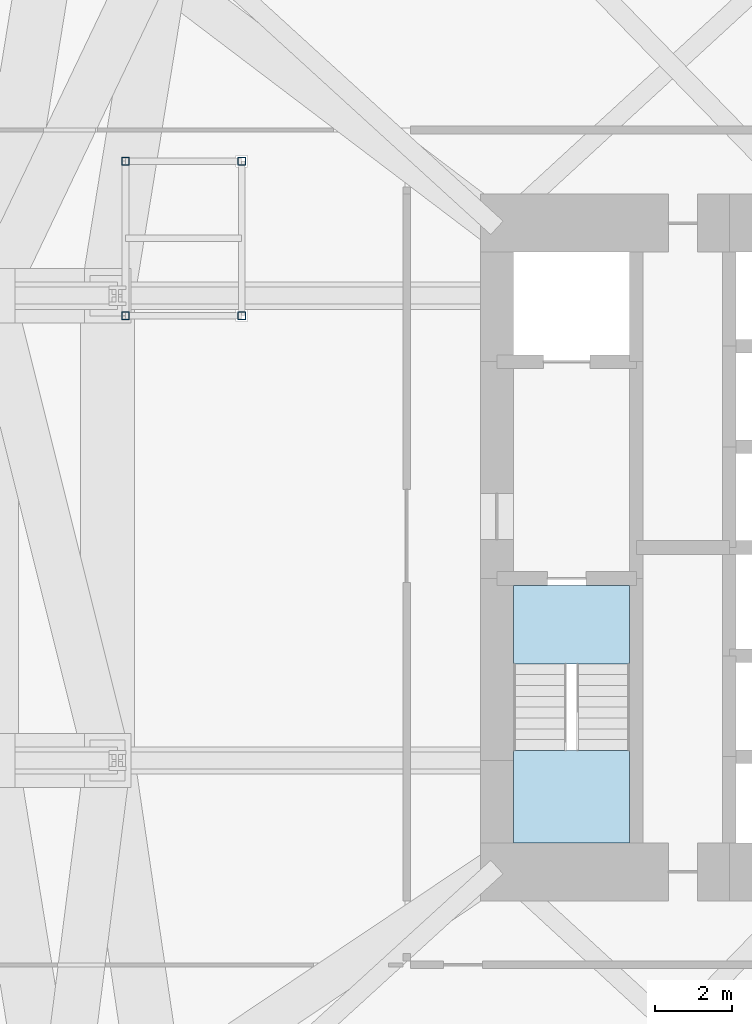
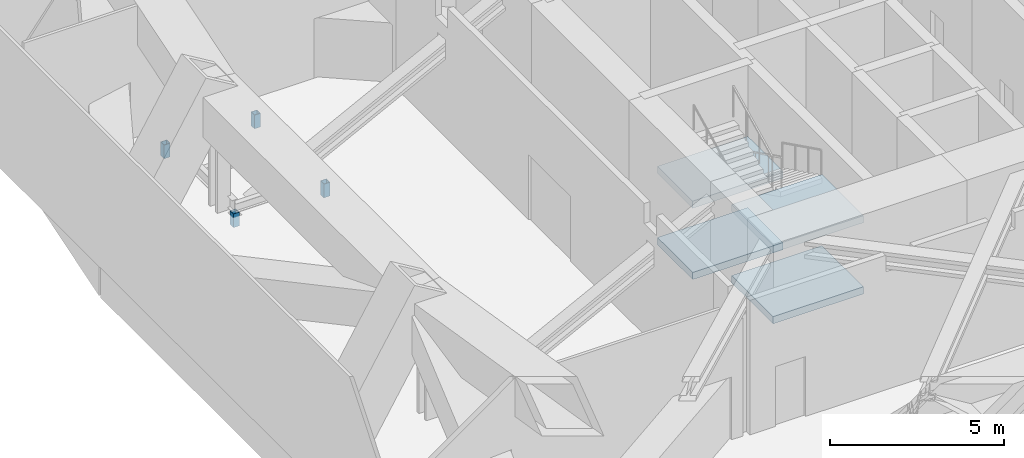
# One storey, part 4 of 11: 4 members, 4 slabs, 1 element without a shape of its own.
"""IFC4 building model written with IfcOpenShell, lengths in metres."""

from ifc_helpers import new_model, si_unit, direction, frame, origin, origin_2d, place, context, subcontext, project, spatial, polyline, hollow_rectangle, outline, extrude, material, layer, layer_set, material_profile, profile_set, type_object, element, aggregate, save


model = new_model("IFC4")

# Units and contexts
model_context = context("Model", 3, precision=1e-05, world=origin(), true_north=direction((0.0, 1.0)))
body_context = subcontext(model_context, "Body", "Model", "MODEL_VIEW")
ifc_project = project(units=[si_unit("LENGTHUNIT", "METRE"), si_unit("AREAUNIT", "SQUARE_METRE"), si_unit("VOLUMEUNIT", "CUBIC_METRE"), si_unit("PLANEANGLEUNIT", "RADIAN"), si_unit("MASSUNIT", "GRAM", prefix="KILO")], contexts=[model_context])

# Site, building, storey
site_placement = place(None, origin())
site = spatial("IfcSite", under=ifc_project, at=site_placement, CompositionType="ELEMENT")
building_placement = place(site_placement, origin())
building = spatial("IfcBuilding", under=site, at=building_placement, Name="Jalousie Tower", CompositionType="ELEMENT")
storey_placement = place(building_placement, frame((0.0, 0.0, 144.35009765625)))
storey = spatial("IfcBuildingStorey", under=building, at=storey_placement, Name="L39", CompositionType="ELEMENT", Elevation=144.35009765625)

# Members
ifc_material_1 = material(Name="Steel ASTM A500 Grade C", Category="steel")
ifc_material_profile = material_profile(ifc_material_1, hollow_rectangle(XDim=0.203125, YDim=0.203125, WallThickness=0.0126953125, at=origin_2d()), Name="HSS8X8X1/2")
ifc_profile_set = profile_set([ifc_material_profile], Name="Steel ASTM A500 Grade C")
member_type = type_object("IfcMemberType", Name="PLANT SUPPORT STOOL HSS8X8X1/2", PredefinedType="POST", material=ifc_profile_set)
for number, where, z_axis, x_axis, name in (
    (1, (10.41259765625, 24.485107421875, -0.280029296875), (0.0, 0.0, 1.0), (1.0, 0.0, 0.0), "Plant support stool Electrical plant room L39"),
    (2, (13.41259765625, 24.485107421875, -0.280029296875), (0.0, 0.0, 1.0), (1.0, 0.0, 0.0), "Plant support stool Electrical plant room L39"),
    (3, (10.41259765625, 28.47509765625, -0.280029296875), (0.0, 0.0, 1.0), (1.0, 0.0, 0.0), "Plant support stool Electrical plant room L39"),
    (4, (13.41259765625, 28.47509765625, -0.280029296875), (0.0, 0.0, 1.0), (1.0, 0.0, 0.0), "Plant support stool Electrical plant room L39"),
):
    element("IfcMember", number, at=place(storey_placement, frame(where, z_axis=z_axis, x_axis=x_axis)), inside=storey, type_object=member_type, Name=name, PredefinedType="POST", context=body_context, shape_type="SweptSolid", body=[
        extrude(hollow_rectangle(XDim=0.203125, YDim=0.203125, WallThickness=0.0126953125, at=origin_2d()), origin(), (0.0, 0.0, 1.0), 0.47998046875),
    ])

# Stair, slabs
ifc_material_2 = material(Name="Concrete f'c 40 MPa", Category="concrete")
stair_type = type_object("IfcStairType", Name="EXIT STAIR", PredefinedType="HALF_TURN_STAIR", material=ifc_material_2)
stair_placement = place(storey_placement, origin())
stair = element("IfcStair", 5, at=stair_placement, inside=storey, type_object=stair_type, Name="Exit stair A L39", PredefinedType="HALF_TURN_STAIR")
ifc_material_3 = material(Name="Concrete f'c 40 MPa", Category="concrete")
ifc_layer = layer(ifc_material_3, 0.25)
ifc_layer_set = layer_set([ifc_layer], Name="Concrete f'c 40 MPa")
slab_type = type_object("IfcSlabType", Name="STAIR LANDING 250", PredefinedType="LANDING", material=ifc_layer_set)
slab_1_placement = place(storey_placement, frame((0.0, 0.0, -0.25)))
slab_1 = element("IfcSlab", 6, at=slab_1_placement, type_object=slab_type, Name="ST-A landing 1", PredefinedType="LANDING", context=body_context, shape_type="SweptSolid", body=[
    extrude(outline(polyline([(20.425048828125, 15.49755859375), (23.425048828125, 15.49755859375), (23.425048828125, 17.52490234375), (20.425048828125, 17.52490234375), (20.425048828125, 15.49755859375)])), origin(), (0.0, 0.0, 1.0), 0.25),
])
slab_2_placement = place(storey_placement, frame((0.0, 0.0, 1.0)))
slab_2 = element("IfcSlab", 7, at=slab_2_placement, type_object=slab_type, Name="ST-A landing 2", PredefinedType="LANDING", context=body_context, shape_type="SweptSolid", body=[
    extrude(outline(polyline([(20.425048828125, 10.875), (23.425048828125, 10.875), (23.425048828125, 13.257568359375), (20.425048828125, 13.257568359375), (20.425048828125, 10.875)])), origin(), (0.0, 0.0, 1.0), 0.25),
])
slab_3_placement = place(storey_placement, frame((0.0, 0.0, 2.25)))
slab_3 = element("IfcSlab", 8, at=slab_3_placement, type_object=slab_type, Name="ST-A landing 3", PredefinedType="LANDING", context=body_context, shape_type="SweptSolid", body=[
    extrude(outline(polyline([(20.425048828125, 15.49755859375), (23.425048828125, 15.49755859375), (23.425048828125, 17.52490234375), (20.425048828125, 17.52490234375), (20.425048828125, 15.49755859375)])), origin(), (0.0, 0.0, 1.0), 0.25),
])
slab_4_placement = place(storey_placement, frame((0.0, 0.0, 3.5)))
slab_4 = element("IfcSlab", 9, at=slab_4_placement, type_object=slab_type, Name="ST-A landing 4", PredefinedType="LANDING", context=body_context, shape_type="SweptSolid", body=[
    extrude(outline(polyline([(20.425048828125, 10.875), (23.425048828125, 10.875), (23.425048828125, 13.257568359375), (20.425048828125, 13.257568359375), (20.425048828125, 10.875)])), origin(), (0.0, 0.0, 1.0), 0.25),
])
aggregate(stair, [slab_1, slab_2, slab_3, slab_4])

save(model, "model.ifc")
